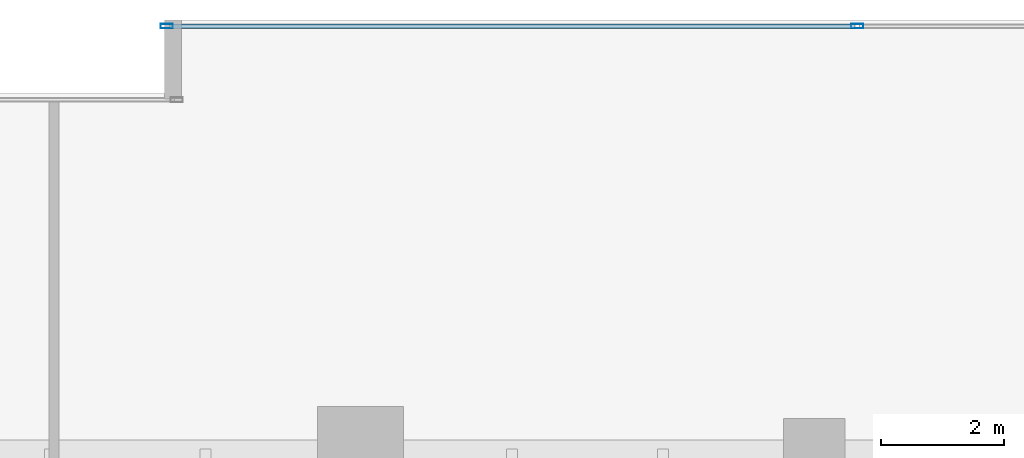
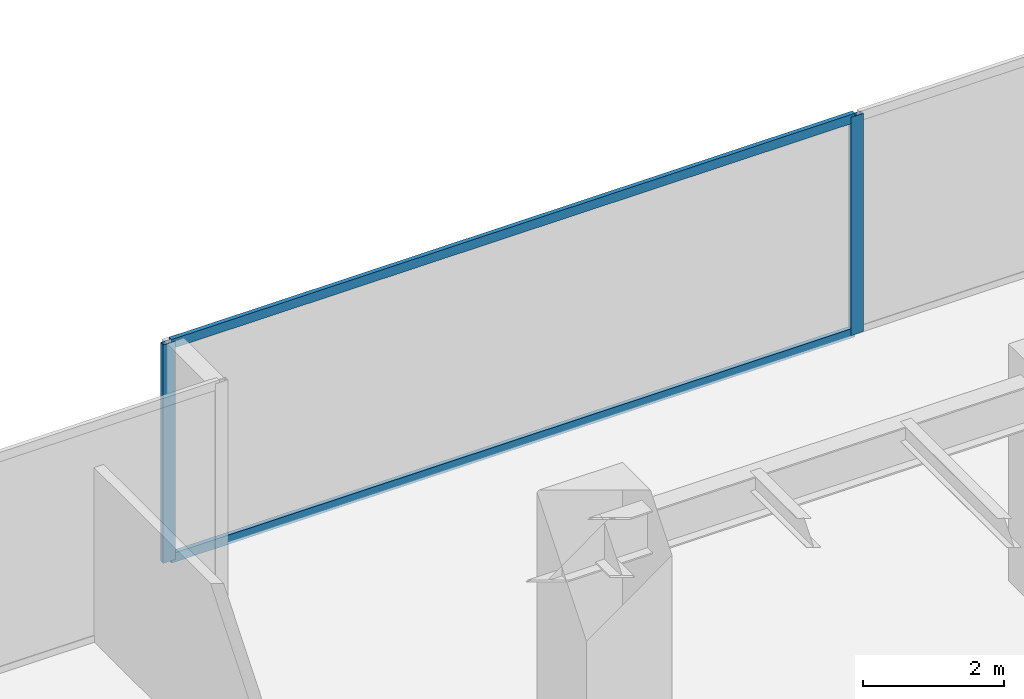
# One storey, part 22 of 35: 4 members, 1 element without a shape of its own.
"""IFC4 building model written with IfcOpenShell, lengths in metres."""

from ifc_helpers import new_model, si_unit, direction, frame, origin, origin_2d, place, context, subcontext, project, spatial, hollow_rectangle, extrude, source, transform, mapped, material, layer, layer_set, material_profile, profile_set, type_object, type_shapes, element, aggregate, save


model = new_model("IFC4")

# Units and contexts
model_context = context("Model", 3, precision=1e-05, world=origin(), true_north=direction((0.0, 1.0)))
body_context = subcontext(model_context, "Body", "Model", "MODEL_VIEW")
ifc_project = project(units=[si_unit("LENGTHUNIT", "METRE"), si_unit("AREAUNIT", "SQUARE_METRE"), si_unit("VOLUMEUNIT", "CUBIC_METRE"), si_unit("PLANEANGLEUNIT", "RADIAN"), si_unit("MASSUNIT", "GRAM", prefix="KILO")], contexts=[model_context])

# Site, building, storey
site_placement = place(None, origin())
site = spatial("IfcSite", under=ifc_project, at=site_placement, CompositionType="ELEMENT")
building_placement = place(site_placement, origin())
building = spatial("IfcBuilding", under=site, at=building_placement, Name="Haelvirn Gate Laboratories", CompositionType="ELEMENT")
storey_placement = place(building_placement, frame((0.0, 0.0, 37.5)))
storey = spatial("IfcBuildingStorey", under=building, at=storey_placement, Name="L09", CompositionType="ELEMENT", Elevation=37.5)

# Curtain wall, members
ifc_material_1 = material(Name="Anodised bronze unitised aluminium & triple low-E glass", Category="aluminium")
ifc_layer = layer(ifc_material_1, 0.18408203125, Name="CW-SYS-2")
ifc_layer_set = layer_set([ifc_layer], Name="Anodised bronze unitised aluminium & triple low-E glass")
curtain_wall_type = type_object("IfcCurtainWallType", Name="CW-SYS-2", PredefinedType="NOTDEFINED", material=ifc_layer_set)
curtain_wall_placement = place(storey_placement, origin())
curtain_wall = element("IfcCurtainWall", 1, at=curtain_wall_placement, inside=storey, type_object=curtain_wall_type, Name="L09 Unitised Curtain Wall CW-L09-P0-E10-1", PredefinedType="NOTDEFINED")
ifc_material_2 = material(Name="Extruded aluminium 6063-T6 (anodised bronze)", Category="aluminium")
ifc_material_profile_1 = material_profile(ifc_material_2, hollow_rectangle(XDim=0.074951171875, YDim=0.199951171875, WallThickness=0.0048828125, at=origin_2d()), Name="CWM-200x75x5")
ifc_profile_set_1 = profile_set([ifc_material_profile_1], Name="Extruded aluminium 6063-T6 (anodised bronze)")
member_type_1 = type_object("IfcMemberType", Name="CWM-T200", PredefinedType="MULLION", material=ifc_profile_set_1)
shared_shape_1 = source(origin(), body_context, "Body", "SweptSolid", [
    extrude(hollow_rectangle(XDim=0.074951171875, YDim=0.199951171875, WallThickness=0.0048828125, at=origin_2d()), origin(), (0.0, 0.0, 1.0), 3.780029296875),
])
type_shapes(member_type_1, [shared_shape_1])
member_1_placement = place(storey_placement, frame((49.4375, 48.5, 0.0), z_axis=(0.0, 0.0, 1.0), x_axis=(0.0, 1.0, 0.0)))
member_1 = element("IfcMember", 2, at=member_1_placement, type_object=member_type_1, Name="CW2 mullion 1", PredefinedType="MULLION", context=body_context, shape_type="MappedRepresentation", body=[
    mapped(shared_shape_1, transform((0.0, 0.0, 0.0), scale=1.0)),
])
member_2_placement = place(storey_placement, frame((60.699951171875, 48.5, 0.0), z_axis=(0.0, 0.0, 1.0), x_axis=(0.0, 1.0, 0.0)))
member_2 = element("IfcMember", 3, at=member_2_placement, type_object=member_type_1, Name="CW2 mullion 2", PredefinedType="MULLION", context=body_context, shape_type="MappedRepresentation", body=[
    mapped(shared_shape_1, transform((0.0, 0.0, 0.0), scale=1.0)),
])
ifc_material_profile_2 = material_profile(ifc_material_2, hollow_rectangle(XDim=0.070068359375, YDim=0.159912109375, WallThickness=0.0048828125, at=origin_2d()), Name="CWT-160x70x5")
ifc_profile_set_2 = profile_set([ifc_material_profile_2], Name="Extruded aluminium 6063-T6 (anodised bronze)")
member_type_2 = type_object("IfcMemberType", Name="CWT-T160", PredefinedType="USERDEFINED", material=ifc_profile_set_2)
shared_shape_2 = source(origin(), body_context, "Body", "SweptSolid", [
    extrude(hollow_rectangle(XDim=0.070068359375, YDim=0.159912109375, WallThickness=0.0048828125, at=origin_2d()), origin(), (0.0, 0.0, 1.0), 11.1875),
])
type_shapes(member_type_2, [shared_shape_2])
member_3_placement = place(storey_placement, frame((49.47509765625, 48.5, 0.034912109375), z_axis=(1.0, 0.0, 0.0), x_axis=(0.0, 1.0, 0.0)))
member_3 = element("IfcMember", 4, at=member_3_placement, type_object=member_type_2, Name="CW2 transom 1.1", ObjectType="TRANSOM", PredefinedType="USERDEFINED", context=body_context, shape_type="MappedRepresentation", body=[
    mapped(shared_shape_2, transform((0.0, 0.0, 0.0), scale=1.0)),
])
member_4_placement = place(storey_placement, frame((49.47509765625, 48.5, 3.7451171875), z_axis=(1.0, 0.0, 0.0), x_axis=(0.0, 1.0, 0.0)))
member_4 = element("IfcMember", 5, at=member_4_placement, type_object=member_type_2, Name="CW2 transom 1.2", ObjectType="TRANSOM", PredefinedType="USERDEFINED", context=body_context, shape_type="MappedRepresentation", body=[
    mapped(shared_shape_2, transform((0.0, 0.0, 0.0), scale=1.0)),
])
aggregate(curtain_wall, [member_1, member_2, member_3, member_4])

save(model, "model.ifc")
